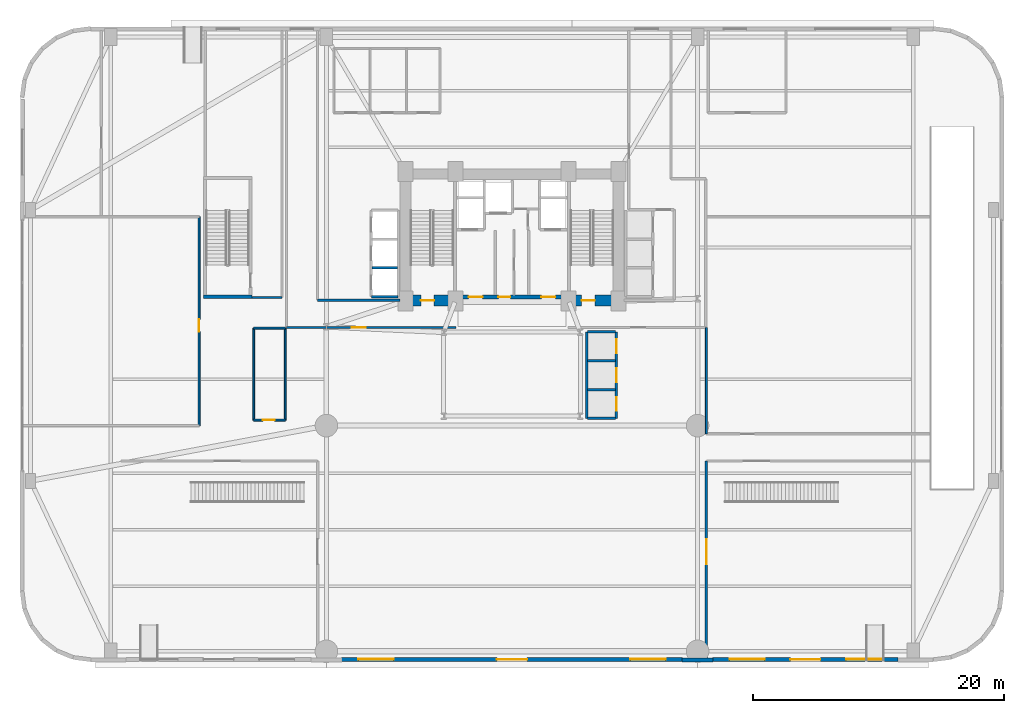
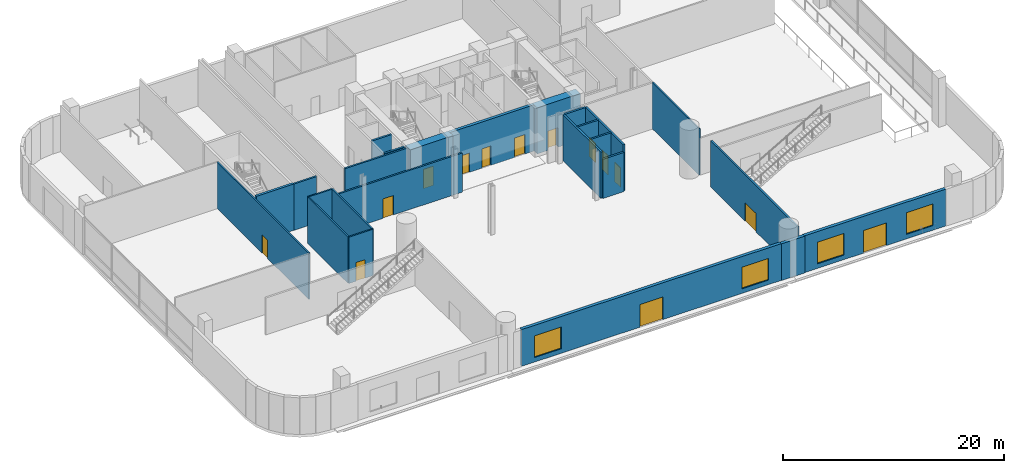
# One storey, part 16 of 26: 25 walls, 14 doors, 4 windows, 18 openings.
"""IFC4 building model written with IfcOpenShell, lengths in metres."""

from ifc_helpers import new_model, si_unit, direction, frame, frame_2d, origin, place, context, subcontext, project, spatial, rectangle, extrude, material, layer, layer_set, type_object, element, fill, save


model = new_model("IFC4")

# Units and contexts
model_context = context("Model", 3, precision=1e-05, world=origin(), true_north=direction((0.0, 1.0)))
body_context = subcontext(model_context, "Body", "Model", "MODEL_VIEW")
ifc_project = project(units=[si_unit("LENGTHUNIT", "METRE"), si_unit("AREAUNIT", "SQUARE_METRE"), si_unit("VOLUMEUNIT", "CUBIC_METRE"), si_unit("PLANEANGLEUNIT", "RADIAN"), si_unit("MASSUNIT", "GRAM", prefix="KILO")], contexts=[model_context])

# Site, building, storey
site_placement = place(None, origin())
site = spatial("IfcSite", under=ifc_project, at=site_placement, CompositionType="ELEMENT")
building_placement = place(site_placement, origin())
building = spatial("IfcBuilding", under=site, at=building_placement, Name="Varnelok Gate Tower", CompositionType="ELEMENT")
storey_placement = place(building_placement, origin())
storey = spatial("IfcBuildingStorey", under=building, at=storey_placement, Name="L00", CompositionType="ELEMENT", Elevation=0.0)

# Wall, openings, door, windows
ifc_material_1 = material(Name="Concrete C45/55", Category="concrete")
ifc_layer_1 = layer(ifc_material_1, 0.320068359375)
ifc_layer_set_1 = layer_set([ifc_layer_1], Name="Concrete C45/55")
wall_type_1 = type_object("IfcWallType", Name="EW-POD-320", PredefinedType="SOLIDWALL", material=ifc_layer_set_1)
wall_1_placement = place(storey_placement, frame((52.800048828125, 0.159912109375, 0.0), z_axis=(0.0, 0.0, 1.0), x_axis=(-1.0, 0.0, 0.0)))
wall_1 = element("IfcWall", 1, at=wall_1_placement, inside=storey, type_object=wall_type_1, Name="EW-L00-SC Avenida Balboa Facade Wall", PredefinedType="SOLIDWALL", context=body_context, shape_type="SweptSolid", body=[
    extrude(rectangle(XDim=27.199951171875, YDim=0.320068359375, at=frame_2d((13.60009765625, 0.0))), origin(), (0.0, 0.0, 1.0), 4.070068359375),
])
opening_1_placement = place(wall_1_placement, frame((12.39990234375, 0.0, 0.0)))
opening_1 = element("IfcOpeningElement", 2, at=opening_1_placement, cuts=wall_1, Name="Opening ED-05", PredefinedType="OPENING", context=body_context, shape_type="SweptSolid", body=[
    extrude(rectangle(XDim=2.39990234375, YDim=2.5, at=frame_2d((1.199951171875, 1.25))), frame((0.0, 0.169921875, 0.0), z_axis=(0.0, -1.0, 0.0), x_axis=(1.0, 0.0, 0.0)), (0.0, 0.0, 1.0), 0.340087890625),
])
opening_2_placement = place(wall_1_placement, frame((1.35009765625, 0.0, 0.5)))
opening_2 = element("IfcOpeningElement", 3, at=opening_2_placement, cuts=wall_1, Name="Opening WN1", PredefinedType="OPENING", context=body_context, shape_type="SweptSolid", body=[
    extrude(rectangle(XDim=2.800048828125, YDim=2.39990234375, at=frame_2d((1.39990234375, 1.199951171875))), frame((0.0, 0.169921875, 0.0), z_axis=(0.0, -1.0, 0.0), x_axis=(1.0, 0.0, 0.0)), (0.0, 0.0, 1.0), 0.340087890625),
])
opening_3_placement = place(wall_1_placement, frame((23.050048828125, 0.0, 0.5)))
opening_3 = element("IfcOpeningElement", 4, at=opening_3_placement, cuts=wall_1, Name="Opening WN1", PredefinedType="OPENING", context=body_context, shape_type="SweptSolid", body=[
    extrude(rectangle(XDim=2.800048828125, YDim=2.39990234375, at=frame_2d((1.39990234375, 1.199951171875))), frame((0.0, 0.169921875, 0.0), z_axis=(0.0, -1.0, 0.0), x_axis=(1.0, 0.0, 0.0)), (0.0, 0.0, 1.0), 0.340087890625),
])
ifc_material_2 = material(Name="Anodized Aluminum Alloy 6063-T6", Category="aluminium")
door_type_1 = type_object("IfcDoorType", Name="DR-EXT-PORT2400", OperationType="DOUBLE_DOOR_SINGLE_SWING", PredefinedType="DOOR", material=ifc_material_2)
door_1_placement = place(opening_1_placement, origin())
door_1 = element("IfcDoor", 5, at=door_1_placement, inside=storey, type_object=door_type_1, Name="L00 Grand Arch Concourse Final Exit Portal ED-05", OperationType="DOUBLE_DOOR_SINGLE_SWING", OverallHeight=2.5, OverallWidth=2.39990234375, PredefinedType="DOOR", context=body_context, shape_type="SweptSolid", body=[
    extrude(rectangle(XDim=2.39990234375, YDim=2.5, at=frame_2d((1.199951171875, 1.25))), frame((0.0, 0.02490234375, 0.0), z_axis=(0.0, -1.0, 0.0), x_axis=(1.0, 0.0, 0.0)), (0.0, 0.0, 1.0), 0.050048828125),
])
fill(opening_1, door_1)
ifc_material_3 = material(Name="Low-E Laminated Double Glazing IGU", Category="glass")
window_type = type_object("IfcWindowType", Name="WN-SHOP-2800", PartitioningType="SINGLE_PANEL", PredefinedType="WINDOW", material=ifc_material_3)
window_1_placement = place(opening_2_placement, origin())
window_1 = element("IfcWindow", 6, at=window_1_placement, inside=storey, type_object=window_type, Name="L00 Streetfront Display Window EW-L00-SC-1", OverallHeight=2.39990234375, OverallWidth=2.800048828125, PartitioningType="SINGLE_PANEL", PredefinedType="WINDOW", context=body_context, shape_type="SweptSolid", body=[
    extrude(rectangle(XDim=2.800048828125, YDim=2.39990234375, at=frame_2d((1.39990234375, 1.199951171875))), frame((0.0, 0.030029296875, 0.0), z_axis=(0.0, -1.0, 0.0), x_axis=(1.0, 0.0, 0.0)), (0.0, 0.0, 1.0), 0.06005859375),
])
fill(opening_2, window_1)
window_2_placement = place(opening_3_placement, origin())
window_2 = element("IfcWindow", 7, at=window_2_placement, inside=storey, type_object=window_type, Name="L00 Streetfront Display Window EW-L00-SC-2", OverallHeight=2.39990234375, OverallWidth=2.800048828125, PartitioningType="SINGLE_PANEL", PredefinedType="WINDOW", context=body_context, shape_type="SweptSolid", body=[
    extrude(rectangle(XDim=2.800048828125, YDim=2.39990234375, at=frame_2d((1.39990234375, 1.199951171875))), frame((0.0, 0.030029296875, 0.0), z_axis=(0.0, -1.0, 0.0), x_axis=(1.0, 0.0, 0.0)), (0.0, 0.0, 1.0), 0.06005859375),
])
fill(opening_3, window_2)

wall_2_placement = place(storey_placement, frame((70.0, 0.159912109375, 0.0), z_axis=(0.0, 0.0, 1.0), x_axis=(-1.0, 0.0, 0.0)))
wall_2 = element("IfcWall", 8, at=wall_2_placement, inside=storey, type_object=wall_type_1, Name="EW-L00-SE Avenida Balboa Facade Wall", PredefinedType="SOLIDWALL", context=body_context, shape_type="SweptSolid", body=[
    extrude(rectangle(XDim=14.800048828125, YDim=0.320068359375, at=frame_2d((7.39990234375, 0.0))), origin(), (0.0, 0.0, 1.0), 4.070068359375),
])
opening_4_placement = place(wall_2_placement, frame((6.199951171875, 0.0, 0.0)))
opening_4 = element("IfcOpeningElement", 9, at=opening_4_placement, cuts=wall_2, Name="Opening ED-06", PredefinedType="OPENING", context=body_context, shape_type="SweptSolid", body=[
    extrude(rectangle(XDim=2.39990234375, YDim=2.5, at=frame_2d((1.199951171875, 1.25))), frame((0.0, 0.169921875, 0.0), z_axis=(0.0, -1.0, 0.0), x_axis=(1.0, 0.0, 0.0)), (0.0, 0.0, 1.0), 0.340087890625),
])
opening_5_placement = place(wall_2_placement, frame((1.35009765625, 0.0, 0.5)))
opening_5 = element("IfcOpeningElement", 10, at=opening_5_placement, cuts=wall_2, Name="Opening WN1", PredefinedType="OPENING", context=body_context, shape_type="SweptSolid", body=[
    extrude(rectangle(XDim=2.800048828125, YDim=2.39990234375, at=frame_2d((1.39990234375, 1.199951171875))), frame((0.0, 0.169921875, 0.0), z_axis=(0.0, -1.0, 0.0), x_axis=(1.0, 0.0, 0.0)), (0.0, 0.0, 1.0), 0.340087890625),
])
opening_6_placement = place(wall_2_placement, frame((10.64990234375, 0.0, 0.5)))
opening_6 = element("IfcOpeningElement", 11, at=opening_6_placement, cuts=wall_2, Name="Opening WN1", PredefinedType="OPENING", context=body_context, shape_type="SweptSolid", body=[
    extrude(rectangle(XDim=2.800048828125, YDim=2.39990234375, at=frame_2d((1.39990234375, 1.199951171875))), frame((0.0, 0.169921875, 0.0), z_axis=(0.0, -1.0, 0.0), x_axis=(1.0, 0.0, 0.0)), (0.0, 0.0, 1.0), 0.340087890625),
])
door_2_placement = place(opening_4_placement, origin())
door_2 = element("IfcDoor", 12, at=door_2_placement, inside=storey, type_object=door_type_1, Name="L00 Residences Arrival Final Exit Portal ED-06", OperationType="DOUBLE_DOOR_SINGLE_SWING", OverallHeight=2.5, OverallWidth=2.39990234375, PredefinedType="DOOR", context=body_context, shape_type="SweptSolid", body=[
    extrude(rectangle(XDim=2.39990234375, YDim=2.5, at=frame_2d((1.199951171875, 1.25))), frame((0.0, 0.02490234375, 0.0), z_axis=(0.0, -1.0, 0.0), x_axis=(1.0, 0.0, 0.0)), (0.0, 0.0, 1.0), 0.050048828125),
])
fill(opening_4, door_2)
window_3_placement = place(opening_5_placement, origin())
window_3 = element("IfcWindow", 13, at=window_3_placement, inside=storey, type_object=window_type, Name="L00 Streetfront Display Window EW-L00-SE-1", OverallHeight=2.39990234375, OverallWidth=2.800048828125, PartitioningType="SINGLE_PANEL", PredefinedType="WINDOW", context=body_context, shape_type="SweptSolid", body=[
    extrude(rectangle(XDim=2.800048828125, YDim=2.39990234375, at=frame_2d((1.39990234375, 1.199951171875))), frame((0.0, 0.030029296875, 0.0), z_axis=(0.0, -1.0, 0.0), x_axis=(1.0, 0.0, 0.0)), (0.0, 0.0, 1.0), 0.06005859375),
])
fill(opening_5, window_3)
window_4_placement = place(opening_6_placement, origin())
window_4 = element("IfcWindow", 14, at=window_4_placement, inside=storey, type_object=window_type, Name="L00 Streetfront Display Window EW-L00-SE-2", OverallHeight=2.39990234375, OverallWidth=2.800048828125, PartitioningType="SINGLE_PANEL", PredefinedType="WINDOW", context=body_context, shape_type="SweptSolid", body=[
    extrude(rectangle(XDim=2.800048828125, YDim=2.39990234375, at=frame_2d((1.39990234375, 1.199951171875))), frame((0.0, 0.030029296875, 0.0), z_axis=(0.0, -1.0, 0.0), x_axis=(1.0, 0.0, 0.0)), (0.0, 0.0, 1.0), 0.06005859375),
])
fill(opening_6, window_4)

# Walls
wall_3_placement = place(storey_placement, frame((52.77001953125, 0.1201171875, 0.0), z_axis=(0.0, 0.0, 1.0), x_axis=(1.0, 0.0, 0.0)))
element("IfcWall", 15, at=wall_3_placement, inside=storey, type_object=wall_type_1, Name="L00 Perimeter Facade Closure Wall 9", PredefinedType="SOLIDWALL", context=body_context, shape_type="SweptSolid", body=[
    extrude(rectangle(XDim=2.4599609375, YDim=0.320068359375, at=frame_2d((1.22998046875, 0.0))), origin(), (0.0, 0.0, 1.0), 4.070068359375),
])
ifc_material_4 = material(Name="Gypsum Plasterboard Acoustic Partition", Category="gypsum")
ifc_layer_2 = layer(ifc_material_4, 0.179931640625)
ifc_layer_set_2 = layer_set([ifc_layer_2], Name="Gypsum Plasterboard Acoustic Partition")
wall_type_2 = type_object("IfcWallType", Name="PW-CORR-180", PredefinedType="PARTITIONING", material=ifc_layer_set_2)
wall_4_placement = place(storey_placement, frame((18.469970703125, 29.02001953125, 0.0), z_axis=(0.0, 0.0, 1.0), x_axis=(1.0, 0.0, 0.0)))
element("IfcWall", 16, at=wall_4_placement, inside=storey, type_object=wall_type_2, Name="Interior Partition", PredefinedType="PARTITIONING", context=body_context, shape_type="SweptSolid", body=[
    extrude(rectangle(XDim=2.39013671875, YDim=0.179931640625, at=frame_2d((1.195068359375, 0.0))), origin(), (0.0, 0.0, 1.0), 5.1201171875),
])

# Wall, opening, door
wall_5_placement = place(storey_placement, frame((21.219970703125, 26.6201171875, 0.0), z_axis=(0.0, 0.0, 1.0), x_axis=(1.0, 0.0, 0.0)))
wall_5 = element("IfcWall", 17, at=wall_5_placement, inside=storey, type_object=wall_type_2, Name="Interior Partition", PredefinedType="PARTITIONING", context=body_context, shape_type="SweptSolid", body=[
    extrude(rectangle(XDim=13.5, YDim=0.179931640625, at=frame_2d((6.75, 0.0))), origin(), (0.0, 0.0, 1.0), 4.33203125),
])
opening_7_placement = place(wall_5_placement, frame((5.199951171875, 0.0, 0.0)))
opening_7 = element("IfcOpeningElement", 18, at=opening_7_placement, cuts=wall_5, Name="Opening D-FF", PredefinedType="OPENING", context=body_context, shape_type="SweptSolid", body=[
    extrude(rectangle(XDim=1.10009765625, YDim=2.14990234375, at=frame_2d((0.550048828125, 1.074951171875))), frame((0.0, 0.099853515625, 0.0), z_axis=(0.0, -1.0, 0.0), x_axis=(1.0, 0.0, 0.0)), (0.0, 0.0, 1.0), 0.199951171875),
])
ifc_material_5 = material(Name="Galvanized Steel Grade S350GD", Category="steel")
door_type_2 = type_object("IfcDoorType", Name="DR-FFLOB-1100", OperationType="NOTDEFINED", PredefinedType="DOOR", material=ifc_material_5)
door_3_placement = place(opening_7_placement, origin())
door_3 = element("IfcDoor", 19, at=door_3_placement, inside=storey, type_object=door_type_2, Name="L00 West Exit Passage Concourse Door", OperationType="SINGLE_SWING_RIGHT", OverallHeight=2.14990234375, OverallWidth=1.10009765625, PredefinedType="DOOR", context=body_context, shape_type="SweptSolid", body=[
    extrude(rectangle(XDim=1.10009765625, YDim=2.14990234375, at=frame_2d((0.550048828125, 1.074951171875))), frame((0.0, 0.02490234375, 0.0), z_axis=(0.0, -1.0, 0.0), x_axis=(1.0, 0.0, 0.0)), (0.0, 0.0, 1.0), 0.050048828125),
])
fill(opening_7, door_3)

# Wall
wall_6_placement = place(storey_placement, frame((23.679931640625, 28.800048828125, 0.0), z_axis=(0.0, 0.0, 1.0), x_axis=(1.0, 0.0, 0.0)))
element("IfcWall", 20, at=wall_6_placement, inside=storey, type_object=wall_type_2, Name="Interior Partition", PredefinedType="PARTITIONING", context=body_context, shape_type="SweptSolid", body=[
    extrude(rectangle(XDim=6.60009765625, YDim=0.179931640625, at=frame_2d((3.300048828125, 0.0))), origin(), (0.0, 0.0, 1.0), 5.1201171875),
])

# Wall, opening, door
wall_7_placement = place(storey_placement, frame((54.699951171875, 0.25, 0.0), z_axis=(0.0, 0.0, 1.0), x_axis=(0.0, 1.0, 0.0)))
wall_7 = element("IfcWall", 21, at=wall_7_placement, inside=storey, type_object=wall_type_2, Name="Interior Partition", PredefinedType="PARTITIONING", context=body_context, shape_type="SweptSolid", body=[
    extrude(rectangle(XDim=15.72998046875, YDim=0.179931640625, at=frame_2d((7.864990234375, 0.0))), origin(), (0.0, 0.0, 1.0), 5.1201171875),
])
opening_8_placement = place(wall_7_placement, frame((7.5, 0.0, 0.0)))
opening_8 = element("IfcOpeningElement", 22, at=opening_8_placement, cuts=wall_7, Name="Opening D-BL", PredefinedType="OPENING", context=body_context, shape_type="SweptSolid", body=[
    extrude(rectangle(XDim=2.0, YDim=2.050048828125, at=frame_2d((1.0, 1.02490234375))), frame((0.0, 0.099853515625, 0.0), z_axis=(0.0, -1.0, 0.0), x_axis=(1.0, 0.0, 0.0)), (0.0, 0.0, 1.0), 0.199951171875),
])
ifc_material_6 = material(Name="Engineered Hardwood Timber", Category="wood")
door_type_3 = type_object("IfcDoorType", Name="DR-BALL-2000", OperationType="DOUBLE_DOOR_SINGLE_SWING", PredefinedType="DOOR", material=ifc_material_6)
door_4_placement = place(opening_8_placement, origin())
door_4 = element("IfcDoor", 23, at=door_4_placement, inside=storey, type_object=door_type_3, Name="L00 Residences Concourse Portal Door", OperationType="DOUBLE_DOOR_SINGLE_SWING", OverallHeight=2.050048828125, OverallWidth=2.0, PredefinedType="DOOR", context=body_context, shape_type="SweptSolid", body=[
    extrude(rectangle(XDim=2.0, YDim=2.050048828125, at=frame_2d((1.0, 1.02490234375))), frame((0.0, 0.02490234375, 0.0), z_axis=(0.0, -1.0, 0.0), x_axis=(1.0, 0.0, 0.0)), (0.0, 0.0, 1.0), 0.050048828125),
])
fill(opening_8, door_4)

ifc_layer_3 = layer(ifc_material_4, 0.14990234375)
ifc_layer_set_3 = layer_set([ifc_layer_3], Name="Gypsum Plasterboard Acoustic Partition")
wall_type_3 = type_object("IfcWallType", Name="PW-PART-150", PredefinedType="PARTITIONING", material=ifc_layer_set_3)
wall_8_placement = place(storey_placement, frame((14.25, 18.800048828125, 0.0), z_axis=(0.0, 0.0, 1.0), x_axis=(0.0, 1.0, 0.0)))
wall_8 = element("IfcWall", 24, at=wall_8_placement, inside=storey, type_object=wall_type_3, Name="Interior Partition", PredefinedType="PARTITIONING", context=body_context, shape_type="SweptSolid", body=[
    extrude(rectangle(XDim=16.64990234375, YDim=0.14990234375, at=frame_2d((8.324951171875, 0.0))), origin(), (0.0, 0.0, 1.0), 5.1201171875),
])
opening_9_placement = place(wall_8_placement, frame((7.5, 0.0, 0.0)))
opening_9 = element("IfcOpeningElement", 25, at=opening_9_placement, cuts=wall_8, Name="Opening D-I1", PredefinedType="OPENING", context=body_context, shape_type="SweptSolid", body=[
    extrude(rectangle(XDim=1.0, YDim=2.050048828125, at=frame_2d((0.5, 1.02490234375))), frame((0.0, 0.0849609375, 0.0), z_axis=(0.0, -1.0, 0.0), x_axis=(1.0, 0.0, 0.0)), (0.0, 0.0, 1.0), 0.169921875),
])
door_type_4 = type_object("IfcDoorType", Name="DR-INT-1000", OperationType="NOTDEFINED", PredefinedType="DOOR", material=ifc_material_6)
door_5_placement = place(opening_9_placement, origin())
door_5 = element("IfcDoor", 26, at=door_5_placement, inside=storey, type_object=door_type_4, Name="L00 Retail West Corridor Door", OperationType="SINGLE_SWING_RIGHT", OverallHeight=2.050048828125, OverallWidth=1.0, PredefinedType="DOOR", context=body_context, shape_type="SweptSolid", body=[
    extrude(rectangle(XDim=1.0, YDim=2.050048828125, at=frame_2d((0.5, 1.02490234375))), frame((0.0, 0.02490234375, 0.0), z_axis=(0.0, -1.0, 0.0), x_axis=(1.0, 0.0, 0.0)), (0.0, 0.0, 1.0), 0.050048828125),
])
fill(opening_9, door_5)

# Wall
wall_9_placement = place(storey_placement, frame((54.699951171875, 18.139892578125, 0.0), z_axis=(0.0, 0.0, 1.0), x_axis=(0.0, 1.0, 0.0)))
element("IfcWall", 27, at=wall_9_placement, inside=storey, type_object=wall_type_3, Name="Interior Partition", PredefinedType="PARTITIONING", context=body_context, shape_type="SweptSolid", body=[
    extrude(rectangle(XDim=8.480224609375, YDim=0.14990234375, at=frame_2d((4.240234375, 0.0))), origin(), (0.0, 0.0, 1.0), 5.1201171875),
])

# Wall, opening, door
wall_10_placement = place(storey_placement, frame((18.60009765625, 19.239990234375, 0.0), z_axis=(0.0, 0.0, 1.0), x_axis=(1.0, 0.0, 0.0)))
wall_10 = element("IfcWall", 28, at=wall_10_placement, inside=storey, type_object=wall_type_3, Name="Interior Partition", PredefinedType="PARTITIONING", context=body_context, shape_type="SweptSolid", body=[
    extrude(rectangle(XDim=2.52001953125, YDim=0.14990234375, at=frame_2d((1.260009765625, 0.0))), origin(), (0.0, 0.0, 1.0), 5.1201171875),
])
opening_10_placement = place(wall_10_placement, frame((0.72998046875, 0.0, 0.0)))
opening_10 = element("IfcOpeningElement", 29, at=opening_10_placement, cuts=wall_10, Name="Opening D-I2", PredefinedType="OPENING", context=body_context, shape_type="SweptSolid", body=[
    extrude(rectangle(XDim=0.949951171875, YDim=2.050048828125, at=frame_2d((0.47509765625, 1.02490234375))), frame((0.0, 0.0849609375, 0.0), z_axis=(0.0, -1.0, 0.0), x_axis=(1.0, 0.0, 0.0)), (0.0, 0.0, 1.0), 0.169921875),
])
door_type_5 = type_object("IfcDoorType", Name="DR-INT-950", OperationType="NOTDEFINED", PredefinedType="DOOR", material=ifc_material_6)
door_6_placement = place(opening_10_placement, origin())
door_6 = element("IfcDoor", 30, at=door_6_placement, inside=storey, type_object=door_type_5, Name="L00 Luggage Room Door", OperationType="SINGLE_SWING_LEFT", OverallHeight=2.050048828125, OverallWidth=0.949951171875, PredefinedType="DOOR", context=body_context, shape_type="SweptSolid", body=[
    extrude(rectangle(XDim=0.949951171875, YDim=2.050048828125, at=frame_2d((0.47509765625, 1.02490234375))), frame((0.0, 0.02490234375, 0.0), z_axis=(0.0, -1.0, 0.0), x_axis=(1.0, 0.0, 0.0)), (0.0, 0.0, 1.0), 0.050048828125),
])
fill(opening_10, door_6)

# Walls
for number, where, z_axis, x_axis, name in (
    (31, (21.1201171875, 19.239990234375, 0.0), (0.0, 0.0, 1.0), (0.0, 1.0, 0.0), "Interior Partition"),
    (32, (18.60009765625, 19.239990234375, 0.0), (0.0, 0.0, 1.0), (0.0, 1.0, 0.0), "Interior Partition"),
):
    element("IfcWall", number, at=place(storey_placement, frame(where, z_axis=z_axis, x_axis=x_axis)), inside=storey, type_object=wall_type_3, Name=name, PredefinedType="PARTITIONING", context=body_context, shape_type="SweptSolid", body=[
        extrude(rectangle(XDim=7.340087890625, YDim=0.14990234375, at=frame_2d((3.669921875, 0.0))), origin(), (0.0, 0.0, 1.0), 5.1201171875),
    ])
wall_11_placement = place(storey_placement, frame((18.60009765625, 26.580078125, 0.0), z_axis=(0.0, 0.0, 1.0), x_axis=(1.0, 0.0, 0.0)))
element("IfcWall", 33, at=wall_11_placement, inside=storey, type_object=wall_type_3, Name="Interior Partition", PredefinedType="PARTITIONING", context=body_context, shape_type="SweptSolid", body=[
    extrude(rectangle(XDim=2.52001953125, YDim=0.14990234375, at=frame_2d((1.260009765625, 0.0))), origin(), (0.0, 0.0, 1.0), 5.1201171875),
])
ifc_material_7 = material(Name="Concrete C35/45", Category="concrete")
ifc_layer_4 = layer(ifc_material_7, 0.199951171875)
ifc_layer_set_4 = layer_set([ifc_layer_4], Name="Concrete C35/45")
wall_type_4 = type_object("IfcWallType", Name="PW-SHAFT-200", PredefinedType="PARTITIONING", material=ifc_layer_set_4)
wall_12_placement = place(storey_placement, frame((28.02001953125, 31.375, 0.0), z_axis=(0.0, 0.0, 1.0), x_axis=(1.0, 0.0, 0.0)))
element("IfcWall", 34, at=wall_12_placement, inside=storey, type_object=wall_type_4, Name="L00 PL1 Divider", PredefinedType="PARTITIONING", context=body_context, shape_type="SweptSolid", body=[
    extrude(rectangle(XDim=2.06005859375, YDim=0.199951171875, at=frame_2d((1.030029296875, 0.0))), origin(), (0.0, 0.0, 1.0), 5.1201171875),
])
wall_13_placement = place(storey_placement, frame((28.0, 29.080078125, 0.0), z_axis=(0.0, 0.0, 1.0), x_axis=(1.0, 0.0, 0.0)))
element("IfcWall", 35, at=wall_13_placement, inside=storey, type_object=wall_type_4, Name="L00 PL Bank South Wall", PredefinedType="PARTITIONING", context=body_context, shape_type="SweptSolid", body=[
    extrude(rectangle(XDim=2.10009765625, YDim=0.199951171875, at=frame_2d((1.050048828125, 0.0))), origin(), (0.0, 0.0, 1.0), 5.1201171875),
])
for number, where, z_axis, x_axis, name in (
    (36, (45.239990234375, 21.675048828125, 0.0), (0.0, 0.0, 1.0), (1.0, 0.0, 0.0), "L00 PH1 Divider"),
    (37, (45.239990234375, 23.97509765625, 0.0), (0.0, 0.0, 1.0), (1.0, 0.0, 0.0), "L00 PH2 Divider"),
):
    element("IfcWall", number, at=place(storey_placement, frame(where, z_axis=z_axis, x_axis=x_axis)), inside=storey, type_object=wall_type_4, Name=name, PredefinedType="PARTITIONING", context=body_context, shape_type="SweptSolid", body=[
        extrude(rectangle(XDim=2.219970703125, YDim=0.199951171875, at=frame_2d((1.10986328125, 0.0))), origin(), (0.0, 0.0, 1.0), 5.1201171875),
    ])
wall_14_placement = place(storey_placement, frame((45.239990234375, 19.3798828125, 0.0), z_axis=(0.0, 0.0, 1.0), x_axis=(1.0, 0.0, 0.0)))
element("IfcWall", 38, at=wall_14_placement, inside=storey, type_object=wall_type_4, Name="L00 PH Bank South Wall", PredefinedType="PARTITIONING", context=body_context, shape_type="SweptSolid", body=[
    extrude(rectangle(XDim=2.219970703125, YDim=0.199951171875, at=frame_2d((1.10986328125, 0.0))), origin(), (0.0, 0.0, 1.0), 4.33203125),
])
wall_15_placement = place(storey_placement, frame((45.239990234375, 26.280029296875, 0.0), z_axis=(0.0, 0.0, 1.0), x_axis=(1.0, 0.0, 0.0)))
element("IfcWall", 39, at=wall_15_placement, inside=storey, type_object=wall_type_4, Name="L00 PH Bank North Wall", PredefinedType="PARTITIONING", context=body_context, shape_type="SweptSolid", body=[
    extrude(rectangle(XDim=2.219970703125, YDim=0.199951171875, at=frame_2d((1.10986328125, 0.0))), origin(), (0.0, 0.0, 1.0), 5.1201171875),
])
wall_16_placement = place(storey_placement, frame((45.179931640625, 19.3798828125, 0.0), z_axis=(0.0, 0.0, 1.0), x_axis=(0.0, 1.0, 0.0)))
element("IfcWall", 40, at=wall_16_placement, inside=storey, type_object=wall_type_4, Name="L00 PH Bank Atrium Wall", PredefinedType="PARTITIONING", context=body_context, shape_type="SweptSolid", body=[
    extrude(rectangle(XDim=6.900146484375, YDim=0.199951171875, at=frame_2d((3.4501953125, 0.0))), origin(), (0.0, 0.0, 1.0), 5.1201171875),
])

# Wall, openings, doors
wall_17_placement = place(storey_placement, frame((47.52001953125, 19.3798828125, 0.0), z_axis=(0.0, 0.0, 1.0), x_axis=(0.0, 1.0, 0.0)))
wall_17 = element("IfcWall", 41, at=wall_17_placement, inside=storey, type_object=wall_type_4, Name="L00 PH Bank Front Wall", PredefinedType="PARTITIONING", context=body_context, shape_type="SweptSolid", body=[
    extrude(rectangle(XDim=6.900146484375, YDim=0.199951171875, at=frame_2d((3.4501953125, 0.0))), origin(), (0.0, 0.0, 1.0), 5.1201171875),
])
opening_11_placement = place(wall_17_placement, frame((0.590087890625, 0.0, 0.0)))
opening_11 = element("IfcOpeningElement", 42, at=opening_11_placement, cuts=wall_17, Name="Opening LD-PH1", PredefinedType="OPENING", context=body_context, shape_type="SweptSolid", body=[
    extrude(rectangle(XDim=1.10009765625, YDim=2.14990234375, at=frame_2d((0.550048828125, 1.074951171875))), frame((0.0, 0.10986328125, 0.0), z_axis=(0.0, -1.0, 0.0), x_axis=(1.0, 0.0, 0.0)), (0.0, 0.0, 1.0), 0.219970703125),
])
opening_12_placement = place(wall_17_placement, frame((2.889892578125, 0.0, 0.0)))
opening_12 = element("IfcOpeningElement", 43, at=opening_12_placement, cuts=wall_17, Name="Opening LD-PH2", PredefinedType="OPENING", context=body_context, shape_type="SweptSolid", body=[
    extrude(rectangle(XDim=1.10009765625, YDim=2.14990234375, at=frame_2d((0.550048828125, 1.074951171875))), frame((0.0, 0.10986328125, 0.0), z_axis=(0.0, -1.0, 0.0), x_axis=(1.0, 0.0, 0.0)), (0.0, 0.0, 1.0), 0.219970703125),
])
opening_13_placement = place(wall_17_placement, frame((5.18994140625, 0.0, 0.0)))
opening_13 = element("IfcOpeningElement", 44, at=opening_13_placement, cuts=wall_17, Name="Opening LD-PH3", PredefinedType="OPENING", context=body_context, shape_type="SweptSolid", body=[
    extrude(rectangle(XDim=1.10009765625, YDim=2.14990234375, at=frame_2d((0.550048828125, 1.074951171875))), frame((0.0, 0.10986328125, 0.0), z_axis=(0.0, -1.0, 0.0), x_axis=(1.0, 0.0, 0.0)), (0.0, 0.0, 1.0), 0.219970703125),
])
door_type_6 = type_object("IfcDoorType", Name="DR-LIFT-PAX1100", OperationType="SLIDING_TO_LEFT", PredefinedType="DOOR", material=ifc_material_5)
door_7_placement = place(opening_11_placement, origin())
door_7 = element("IfcDoor", 45, at=door_7_placement, inside=storey, type_object=door_type_6, Name="L00 Passenger Lift Landing Door LD-PH1", OperationType="SLIDING_TO_LEFT", OverallHeight=2.14990234375, OverallWidth=1.10009765625, PredefinedType="DOOR", context=body_context, shape_type="SweptSolid", body=[
    extrude(rectangle(XDim=1.10009765625, YDim=2.14990234375, at=frame_2d((0.550048828125, 1.074951171875))), frame((0.0, 0.02490234375, 0.0), z_axis=(0.0, -1.0, 0.0), x_axis=(1.0, 0.0, 0.0)), (0.0, 0.0, 1.0), 0.050048828125),
])
fill(opening_11, door_7)
door_8_placement = place(opening_12_placement, origin())
door_8 = element("IfcDoor", 46, at=door_8_placement, inside=storey, type_object=door_type_6, Name="L00 Passenger Lift Landing Door LD-PH2", OperationType="SLIDING_TO_LEFT", OverallHeight=2.14990234375, OverallWidth=1.10009765625, PredefinedType="DOOR", context=body_context, shape_type="SweptSolid", body=[
    extrude(rectangle(XDim=1.10009765625, YDim=2.14990234375, at=frame_2d((0.550048828125, 1.074951171875))), frame((0.0, 0.02490234375, 0.0), z_axis=(0.0, -1.0, 0.0), x_axis=(1.0, 0.0, 0.0)), (0.0, 0.0, 1.0), 0.050048828125),
])
fill(opening_12, door_8)
door_9_placement = place(opening_13_placement, origin())
door_9 = element("IfcDoor", 47, at=door_9_placement, inside=storey, type_object=door_type_6, Name="L00 Passenger Lift Landing Door LD-PH3", OperationType="SLIDING_TO_LEFT", OverallHeight=2.14990234375, OverallWidth=1.10009765625, PredefinedType="DOOR", context=body_context, shape_type="SweptSolid", body=[
    extrude(rectangle(XDim=1.10009765625, YDim=2.14990234375, at=frame_2d((0.550048828125, 1.074951171875))), frame((0.0, 0.02490234375, 0.0), z_axis=(0.0, -1.0, 0.0), x_axis=(1.0, 0.0, 0.0)), (0.0, 0.0, 1.0), 0.050048828125),
])
fill(opening_13, door_9)

# Wall, opening, door
ifc_material_8 = material(Name="Concrete C70/85", Category="concrete")
ifc_layer_5 = layer(ifc_material_8, 0.85009765625)
ifc_layer_set_5 = layer_set([ifc_layer_5], Name="Concrete C70/85")
wall_type_5 = type_object("IfcWallType", Name="SW-CORE-850", PredefinedType="SHEAR", material=ifc_layer_set_5)
wall_18_placement = place(storey_placement, frame((30.280029296875, 28.77490234375, 0.0), z_axis=(0.0, 0.0, 1.0), x_axis=(1.0, 0.0, 0.0)))
wall_18 = element("IfcWall", 48, at=wall_18_placement, inside=storey, type_object=wall_type_5, Name="L00 Rear Core South-West Shear Wall", PredefinedType="SHEAR", context=body_context, shape_type="SweptSolid", body=[
    extrude(rectangle(XDim=4.52001953125, YDim=0.85009765625, at=frame_2d((2.260009765625, 0.0))), origin(), (0.0, 0.0, 1.0), 5.1201171875),
])
opening_14_placement = place(wall_18_placement, frame((1.64990234375, 0.0, 0.0)))
opening_14 = element("IfcOpeningElement", 49, at=opening_14_placement, cuts=wall_18, Name="Opening D-ST", PredefinedType="OPENING", context=body_context, shape_type="SweptSolid", body=[
    extrude(rectangle(XDim=1.050048828125, YDim=2.14990234375, at=frame_2d((0.52490234375, 1.074951171875))), frame((0.0, 0.43505859375, 0.0), z_axis=(0.0, -1.0, 0.0), x_axis=(1.0, 0.0, 0.0)), (0.0, 0.0, 1.0), 0.8701171875),
])
door_type_7 = type_object("IfcDoorType", Name="DR-STAIR-1050", OperationType="NOTDEFINED", PredefinedType="DOOR", material=ifc_material_5)
door_10_placement = place(opening_14_placement, origin())
door_10 = element("IfcDoor", 50, at=door_10_placement, inside=storey, type_object=door_type_7, Name="L00 Exit Stair ST-1 Discharge Fire Door", OperationType="SINGLE_SWING_RIGHT", OverallHeight=2.14990234375, OverallWidth=1.050048828125, PredefinedType="DOOR", context=body_context, shape_type="SweptSolid", body=[
    extrude(rectangle(XDim=1.050048828125, YDim=2.14990234375, at=frame_2d((0.52490234375, 1.074951171875))), frame((0.0, 0.02490234375, 0.0), z_axis=(0.0, -1.0, 0.0), x_axis=(1.0, 0.0, 0.0)), (0.0, 0.0, 1.0), 0.050048828125),
])
fill(opening_14, door_10)

wall_19_placement = place(storey_placement, frame((43.60009765625, 28.77490234375, 0.0), z_axis=(0.0, 0.0, 1.0), x_axis=(1.0, 0.0, 0.0)))
wall_19 = element("IfcWall", 51, at=wall_19_placement, inside=storey, type_object=wall_type_5, Name="L00 Rear Core South-East Shear Wall", PredefinedType="SHEAR", context=body_context, shape_type="SweptSolid", body=[
    extrude(rectangle(XDim=4.52001953125, YDim=0.85009765625, at=frame_2d((2.260009765625, 0.0))), origin(), (0.0, 0.0, 1.0), 5.1201171875),
])
opening_15_placement = place(wall_19_placement, frame((1.14990234375, 0.0, 0.0)))
opening_15 = element("IfcOpeningElement", 52, at=opening_15_placement, cuts=wall_19, Name="Opening D-ST", PredefinedType="OPENING", context=body_context, shape_type="SweptSolid", body=[
    extrude(rectangle(XDim=1.050048828125, YDim=2.14990234375, at=frame_2d((0.52490234375, 1.074951171875))), frame((0.0, 0.43505859375, 0.0), z_axis=(0.0, -1.0, 0.0), x_axis=(1.0, 0.0, 0.0)), (0.0, 0.0, 1.0), 0.8701171875),
])
door_11_placement = place(opening_15_placement, origin())
door_11 = element("IfcDoor", 53, at=door_11_placement, inside=storey, type_object=door_type_7, Name="L00 Exit Stair ST-2 Discharge Fire Door", OperationType="SINGLE_SWING_LEFT", OverallHeight=2.14990234375, OverallWidth=1.050048828125, PredefinedType="DOOR", context=body_context, shape_type="SweptSolid", body=[
    extrude(rectangle(XDim=1.050048828125, YDim=2.14990234375, at=frame_2d((0.52490234375, 1.074951171875))), frame((0.0, 0.02490234375, 0.0), z_axis=(0.0, -1.0, 0.0), x_axis=(1.0, 0.0, 0.0)), (0.0, 0.0, 1.0), 0.050048828125),
])
fill(opening_15, door_11)

# Wall
ifc_material_9 = material(Name="Concrete C60/75", Category="concrete")
ifc_layer_6 = layer(ifc_material_9, 0.25)
ifc_layer_set_6 = layer_set([ifc_layer_6], Name="Concrete C60/75")
wall_type_6 = type_object("IfcWallType", Name="SW-SHAFT-250", PredefinedType="SHEAR", material=ifc_layer_set_6)
wall_20_placement = place(storey_placement, frame((14.580078125, 29.074951171875, 0.0), z_axis=(0.0, 0.0, 1.0), x_axis=(1.0, 0.0, 0.0)))
element("IfcWall", 54, at=wall_20_placement, inside=storey, type_object=wall_type_6, Name="L00 Stair ST-3 South Shear Wall", PredefinedType="SHEAR", context=body_context, shape_type="SweptSolid", body=[
    extrude(rectangle(XDim=3.889892578125, YDim=0.25, at=frame_2d((1.94482421875, 0.0))), origin(), (0.0, 0.0, 1.0), 5.1201171875),
])

# Wall, openings, doors
ifc_layer_7 = layer(ifc_material_9, 0.300048828125)
ifc_layer_set_7 = layer_set([ifc_layer_7], Name="Concrete C60/75")
wall_type_7 = type_object("IfcWallType", Name="SW-SHAFT-300", PredefinedType="SHEAR", material=ifc_layer_set_7)
wall_21_placement = place(storey_placement, frame((34.800048828125, 29.050048828125, 0.0), z_axis=(0.0, 0.0, 1.0), x_axis=(1.0, 0.0, 0.0)))
wall_21 = element("IfcWall", 55, at=wall_21_placement, inside=storey, type_object=wall_type_7, Name="L00 Rear Core Central Lobby Shear Wall", PredefinedType="SHEAR", context=body_context, shape_type="SweptSolid", body=[
    extrude(rectangle(XDim=8.800048828125, YDim=0.300048828125, at=frame_2d((4.39990234375, 0.0))), origin(), (0.0, 0.0, 1.0), 5.1201171875),
])
opening_16_placement = place(wall_21_placement, frame((0.949951171875, 0.0, 0.0)))
opening_16 = element("IfcOpeningElement", 56, at=opening_16_placement, cuts=wall_21, Name="Opening D-FF", PredefinedType="OPENING", context=body_context, shape_type="SweptSolid", body=[
    extrude(rectangle(XDim=1.10009765625, YDim=2.14990234375, at=frame_2d((0.550048828125, 1.074951171875))), frame((0.0, 0.159912109375, 0.0), z_axis=(0.0, -1.0, 0.0), x_axis=(1.0, 0.0, 0.0)), (0.0, 0.0, 1.0), 0.320068359375),
])
opening_17_placement = place(wall_21_placement, frame((6.75, 0.0, 0.0)))
opening_17 = element("IfcOpeningElement", 57, at=opening_17_placement, cuts=wall_21, Name="Opening D-FF", PredefinedType="OPENING", context=body_context, shape_type="SweptSolid", body=[
    extrude(rectangle(XDim=1.10009765625, YDim=2.14990234375, at=frame_2d((0.550048828125, 1.074951171875))), frame((0.0, 0.159912109375, 0.0), z_axis=(0.0, -1.0, 0.0), x_axis=(1.0, 0.0, 0.0)), (0.0, 0.0, 1.0), 0.320068359375),
])
opening_18_placement = place(wall_21_placement, frame((3.320068359375, 0.0, 0.0)))
opening_18 = element("IfcOpeningElement", 58, at=opening_18_placement, cuts=wall_21, Name="Opening D-CR", PredefinedType="OPENING", context=body_context, shape_type="SweptSolid", body=[
    extrude(rectangle(XDim=0.949951171875, YDim=2.14990234375, at=frame_2d((0.47509765625, 1.074951171875))), frame((0.0, 0.159912109375, 0.0), z_axis=(0.0, -1.0, 0.0), x_axis=(1.0, 0.0, 0.0)), (0.0, 0.0, 1.0), 0.320068359375),
])
door_type_8 = type_object("IfcDoorType", Name="DR-CORR-950", OperationType="NOTDEFINED", PredefinedType="DOOR", material=ifc_material_5)
door_12_placement = place(opening_18_placement, origin())
door_12 = element("IfcDoor", 59, at=door_12_placement, inside=storey, type_object=door_type_8, Name="L00 Core Service Passage Door", OperationType="SINGLE_SWING_LEFT", OverallHeight=2.14990234375, OverallWidth=0.949951171875, PredefinedType="DOOR", context=body_context, shape_type="SweptSolid", body=[
    extrude(rectangle(XDim=0.949951171875, YDim=2.14990234375, at=frame_2d((0.47509765625, 1.074951171875))), frame((0.0, 0.02490234375, 0.0), z_axis=(0.0, -1.0, 0.0), x_axis=(1.0, 0.0, 0.0)), (0.0, 0.0, 1.0), 0.050048828125),
])
fill(opening_18, door_12)
door_13_placement = place(opening_16_placement, origin())
door_13 = element("IfcDoor", 60, at=door_13_placement, inside=storey, type_object=door_type_2, Name="L00 West Firefighting Lobby Fire Door", OperationType="SINGLE_SWING_RIGHT", OverallHeight=2.14990234375, OverallWidth=1.10009765625, PredefinedType="DOOR", context=body_context, shape_type="SweptSolid", body=[
    extrude(rectangle(XDim=1.10009765625, YDim=2.14990234375, at=frame_2d((0.550048828125, 1.074951171875))), frame((0.0, 0.02490234375, 0.0), z_axis=(0.0, -1.0, 0.0), x_axis=(1.0, 0.0, 0.0)), (0.0, 0.0, 1.0), 0.050048828125),
])
fill(opening_16, door_13)
door_14_placement = place(opening_17_placement, origin())
door_14 = element("IfcDoor", 61, at=door_14_placement, inside=storey, type_object=door_type_2, Name="L00 East Firefighting Lobby Fire Door", OperationType="SINGLE_SWING_LEFT", OverallHeight=2.14990234375, OverallWidth=1.10009765625, PredefinedType="DOOR", context=body_context, shape_type="SweptSolid", body=[
    extrude(rectangle(XDim=1.10009765625, YDim=2.14990234375, at=frame_2d((0.550048828125, 1.074951171875))), frame((0.0, 0.02490234375, 0.0), z_axis=(0.0, -1.0, 0.0), x_axis=(1.0, 0.0, 0.0)), (0.0, 0.0, 1.0), 0.050048828125),
])
fill(opening_17, door_14)

save(model, "model.ifc")
